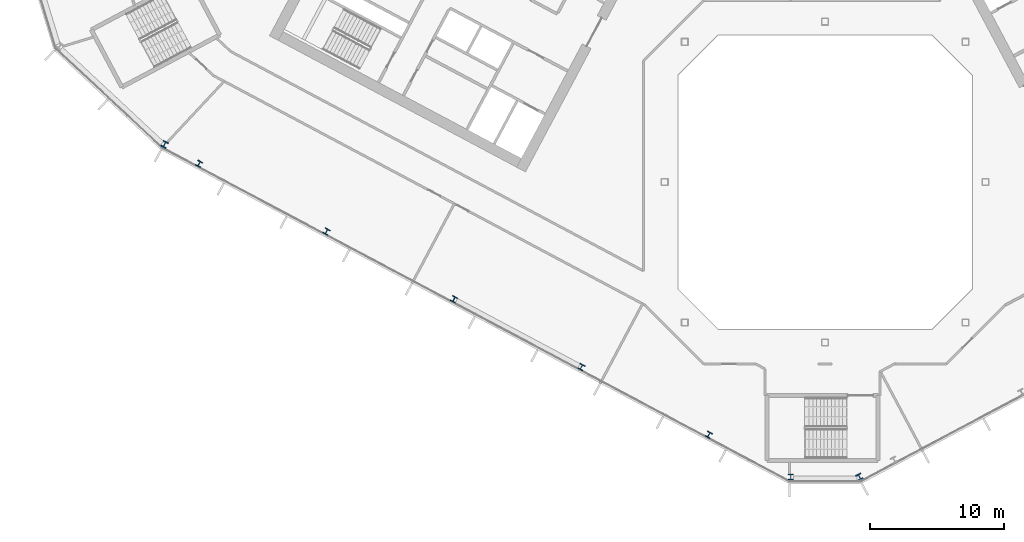
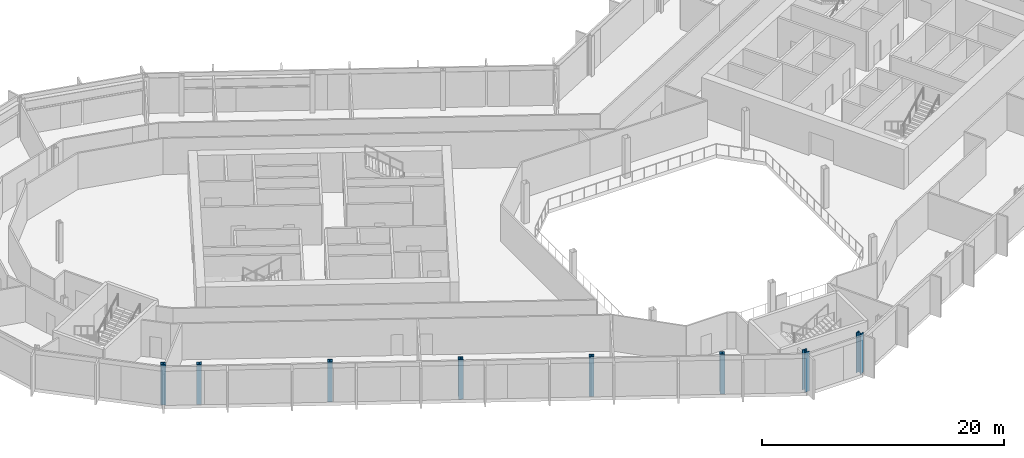
# One storey, part 1 of 28: 8 columns.
"""IFC4 building model written with IfcOpenShell, lengths in metres."""

from ifc_helpers import new_model, si_unit, direction, frame, origin, origin_2d, place, context, subcontext, project, spatial, i_section, extrude, material, material_profile, profile_set, type_object, element, save


model = new_model("IFC4")

# Units and contexts
model_context = context("Model", 3, precision=1e-05, world=origin(), true_north=direction((0.0, 1.0)))
body_context = subcontext(model_context, "Body", "Model", "MODEL_VIEW")
ifc_project = project(units=[si_unit("LENGTHUNIT", "METRE"), si_unit("AREAUNIT", "SQUARE_METRE"), si_unit("VOLUMEUNIT", "CUBIC_METRE"), si_unit("PLANEANGLEUNIT", "RADIAN"), si_unit("MASSUNIT", "GRAM", prefix="KILO")], contexts=[model_context])

# Site, building, storey
site_placement = place(None, origin())
site = spatial("IfcSite", under=ifc_project, at=site_placement, CompositionType="ELEMENT")
building_placement = place(site_placement, origin())
building = spatial("IfcBuilding", under=site, at=building_placement, Name="Cormorant Relay Tower", CompositionType="ELEMENT")
storey_placement = place(building_placement, frame((0.0, 0.0, 158.199951171875)))
storey = spatial("IfcBuildingStorey", under=building, at=storey_placement, Name="L33", CompositionType="ELEMENT", Elevation=158.199951171875)

# Columns
ifc_material_1 = material(Name="Steel ASTM A992 (Fy 345 MPa)", Category="steel")
ifc_material_profile_1 = material_profile(ifc_material_1, i_section(OverallWidth=0.41162109375, OverallDepth=0.434326171875, WebThickness=0.035888671875, FlangeThickness=0.057373046875, FilletRadius=0.01513671875, at=origin_2d()), Name="W360x463")
ifc_profile_set_1 = profile_set([ifc_material_profile_1], Name="Steel ASTM A992 (Fy 345 MPa)")
column_type_1 = type_object("IfcColumnType", Name="Column W360x463", PredefinedType="COLUMN", material=ifc_profile_set_1)
for number, where, z_axis, x_axis, name in (
    (1, (-8.696044921875, -18.910888671875, 0.0), (0.0, 0.0, 1.0), (0.882947592859, -0.469471562786, 0.0), "Column L33-004"),
    (2, (-18.23193359375, -13.841064453125, 0.0), (0.0, 0.0, 1.0), (0.882947592859, -0.469471562786, 0.0), "Column L33-006"),
    (3, (-27.76806640625, -8.77001953125, 0.0), (0.0, 0.0, 1.0), (0.882947592859, -0.469471562786, 0.0), "Column L33-011"),
    (4, (-37.303955078125, -3.699951171875, 0.0), (0.0, 0.0, 1.0), (0.882947592859, -0.469471562786, 0.0), "Column L33-013"),
    (5, (-46.839111328125, 1.3701171875, 0.0), (0.0, 0.0, 1.0), (0.882947592859, -0.469471562786, 0.0), "Column L33-018"),
):
    element("IfcColumn", number, at=place(storey_placement, frame(where, z_axis=z_axis, x_axis=x_axis)), inside=storey, type_object=column_type_1, Name=name, PredefinedType="COLUMN", context=body_context, shape_type="SweptSolid", body=[
        extrude(i_section(OverallWidth=0.41162109375, OverallDepth=0.434326171875, WebThickness=0.035888671875, FlangeThickness=0.057373046875, FilletRadius=0.01513671875, at=origin_2d()), origin(), (0.0, 0.0, 1.0), 4.0),
    ])
ifc_material_2 = material(Name="Steel ASTM A992 (Fy 345 MPa)", Category="steel")
ifc_material_profile_2 = material_profile(ifc_material_2, i_section(OverallWidth=0.42431640625, OverallDepth=0.47509765625, WebThickness=0.0478515625, FlangeThickness=0.0771484375, FilletRadius=0.014892578125, at=origin_2d()), Name="W360x634")
ifc_profile_set_2 = profile_set([ifc_material_profile_2], Name="Steel ASTM A992 (Fy 345 MPa)")
column_type_2 = type_object("IfcColumnType", Name="Column W360x634", PredefinedType="COLUMN", material=ifc_profile_set_2)
for number, where, z_axis, x_axis, name in (
    (6, (-2.571044921875, -22.06494140625, 0.0), (0.0, 0.0, 1.0), (1.0, 0.0, 0.0), "Column L33-001"),
    (7, (2.571044921875, -22.06494140625, 0.0), (0.0, 0.0, 1.0), (0.882947592859, 0.469471562786, 0.0), "Column L33-002"),
    (8, (-49.423095703125, 2.820068359375, 0.0), (0.0, 0.0, 1.0), (0.882947592859, -0.469471562786, 0.0), "Column L33-019"),
):
    element("IfcColumn", number, at=place(storey_placement, frame(where, z_axis=z_axis, x_axis=x_axis)), inside=storey, type_object=column_type_2, Name=name, PredefinedType="COLUMN", context=body_context, shape_type="SweptSolid", body=[
        extrude(i_section(OverallWidth=0.42431640625, OverallDepth=0.47509765625, WebThickness=0.0478515625, FlangeThickness=0.0771484375, FilletRadius=0.014892578125, at=origin_2d()), origin(), (0.0, 0.0, 1.0), 4.0),
    ])

save(model, "model.ifc")
